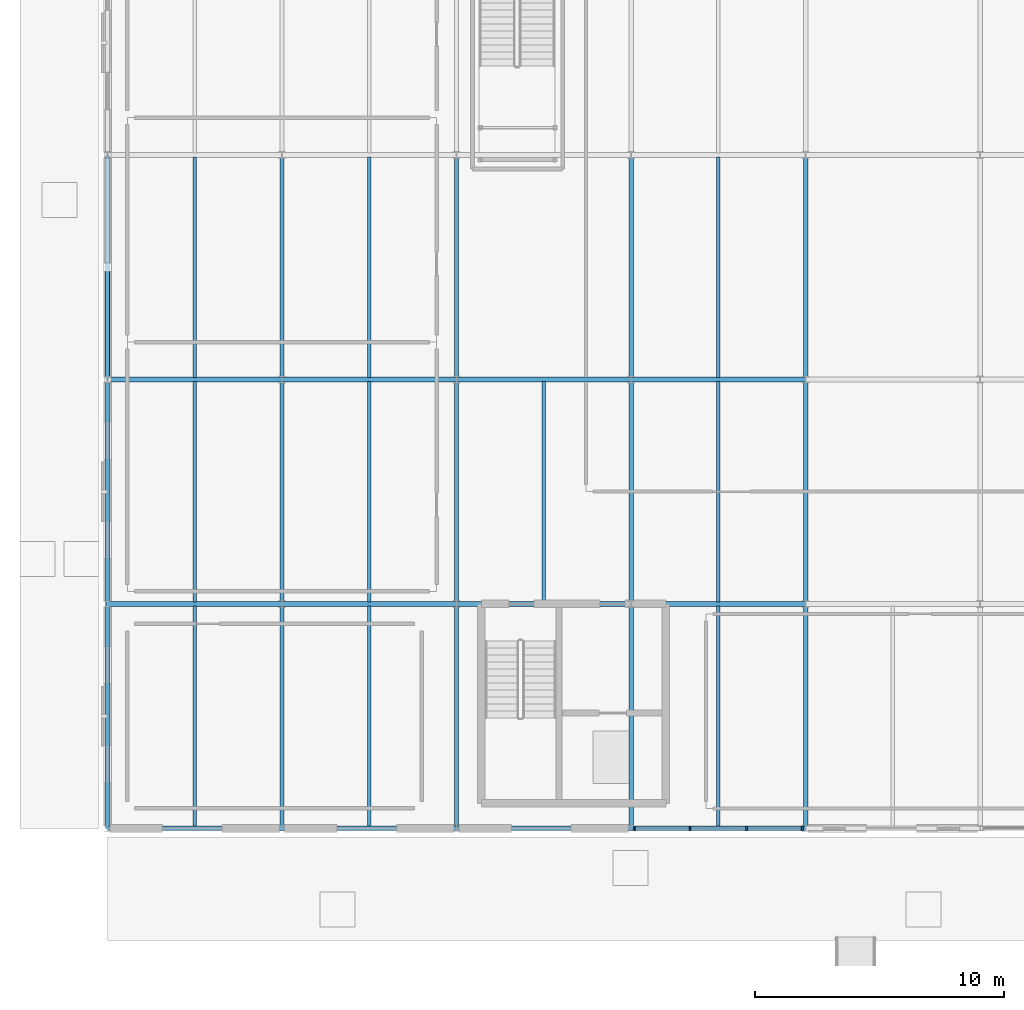
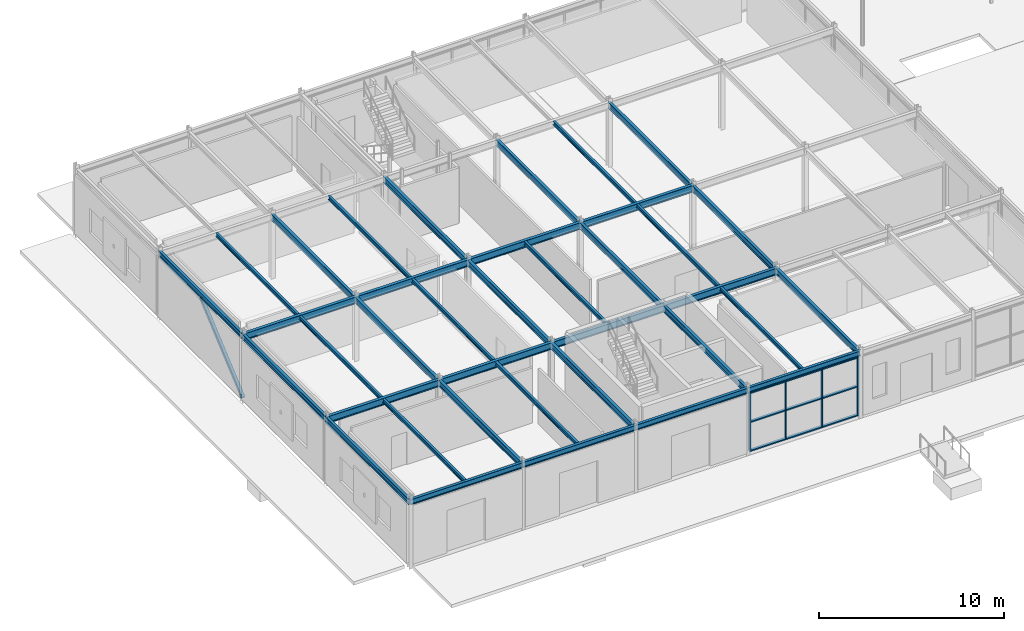
# One storey, part 48 of 119: 37 beams, 14 members, 1 element without a shape of its own.
"""IFC4 building model written with IfcOpenShell, lengths in metres."""

from ifc_helpers import new_model, si_unit, derived_unit, direction, frame, origin, origin_2d_with_axis, place, context, subcontext, project, spatial, rectangle, hollow_rectangle, i_section, extrude, material, material_profile, profile_set, type_object, element, aggregate, save


model = new_model("IFC4")

# Units and contexts
model_context = context("Model", 3, precision=1e-05, world=origin(), true_north=direction((0.0, 1.0)))
body_context = subcontext(model_context, "Body", "Model", "MODEL_VIEW")
ifc_project = project(units=[si_unit("LENGTHUNIT", "METRE"), si_unit("AREAUNIT", "SQUARE_METRE"), si_unit("VOLUMEUNIT", "CUBIC_METRE"), si_unit("PLANEANGLEUNIT", "RADIAN"), si_unit("MASSUNIT", "GRAM", prefix="KILO"), derived_unit("THERMALTRANSMITTANCEUNIT", [(si_unit("POWERUNIT", "WATT"), 1), (si_unit("LENGTHUNIT", "METRE"), -2), (si_unit("THERMODYNAMICTEMPERATUREUNIT", "KELVIN"), -1)])], contexts=[model_context])

# Site, building, storey
site_placement = place(None, origin())
site = spatial("IfcSite", under=ifc_project, at=site_placement, CompositionType="ELEMENT")
building_placement = place(site_placement, origin())
building = spatial("IfcBuilding", under=site, at=building_placement, Name="Cinnabar Yard Market Hall", CompositionType="ELEMENT")
storey_placement = place(building_placement, origin())
storey = spatial("IfcBuildingStorey", under=building, at=storey_placement, Name="L00", CompositionType="ELEMENT", Elevation=0.0)

# Beams
ifc_material_1 = material(Name="Steel Grade 300 (300 MPa)", Category="steel")
ifc_material_profile_1 = material_profile(ifc_material_1, i_section(OverallWidth=0.18994140625, OverallDepth=0.453857421875, WebThickness=0.008544921875, FlangeThickness=0.0126953125, FilletRadius=0.011474609375, at=origin_2d_with_axis()), Name="460UB67.1")
ifc_profile_set_1 = profile_set([ifc_material_profile_1], Name="Steel Grade 300 (300 MPa)")
beam_type_1 = type_object("IfcBeamType", Name="BM-B05", PredefinedType="BEAM", material=ifc_profile_set_1)
for number, where, z_axis, x_axis, name in (
    (1, (10.0, 57.0, 4.01318359375), (1.0, 0.0, 0.0), (0.0, 1.0, 0.0), "V2 L00 Girder X 00635"),
    (2, (10.0, 66.0, 4.01318359375), (1.0, 0.0, 0.0), (0.0, 1.0, 0.0), "V2 L00 Girder X 00636"),
    (3, (17.0, 57.0, 4.01318359375), (1.0, 0.0, 0.0), (0.0, 1.0, 0.0), "V2 L00 Girder X 00640"),
    (4, (17.0, 66.0, 4.01318359375), (1.0, 0.0, 0.0), (0.0, 1.0, 0.0), "V2 L00 Girder X 00641"),
    (5, (24.0, 57.0, 4.01318359375), (1.0, 0.0, 0.0), (0.0, 1.0, 0.0), "V2 L00 Girder X 00645"),
    (6, (24.0, 66.0, 4.01318359375), (1.0, 0.0, 0.0), (0.0, 1.0, 0.0), "V2 L00 Girder X 00646"),
    (7, (31.0, 57.0, 4.01318359375), (1.0, 0.0, 0.0), (0.0, 1.0, 0.0), "V2 L00 Girder X 00650"),
    (8, (31.0, 66.0, 4.01318359375), (1.0, 0.0, 0.0), (0.0, 1.0, 0.0), "V2 L00 Girder X 00651"),
):
    element("IfcBeam", number, at=place(storey_placement, frame(where, z_axis=z_axis, x_axis=x_axis)), inside=storey, type_object=beam_type_1, Name=name, PredefinedType="BEAM", context=body_context, shape_type="SweptSolid", body=[
        extrude(i_section(OverallWidth=0.18994140625, OverallDepth=0.453857421875, WebThickness=0.008544921875, FlangeThickness=0.0126953125, FilletRadius=0.011474609375, at=origin_2d_with_axis()), origin(), (0.0, 0.0, 1.0), 7.0),
    ])
ifc_material_profile_2 = material_profile(ifc_material_1, i_section(OverallWidth=0.177978515625, OverallDepth=0.406494140625, WebThickness=0.0078125, FlangeThickness=0.0126953125, FilletRadius=0.011474609375, at=origin_2d_with_axis()), Name="410UB59.7")
ifc_profile_set_2 = profile_set([ifc_material_profile_2], Name="Steel Grade 300 (300 MPa)")
beam_type_2 = type_object("IfcBeamType", Name="BM-B06", PredefinedType="BEAM", material=ifc_profile_set_2)
for number, where, z_axis, x_axis, name in (
    (9, (17.0, 48.0, 4.036865234375), (0.0, 1.0, 0.0), (-1.0, 0.0, 0.0), "V2 L00 Girder Y 00672"),
    (10, (17.0, 57.0, 4.036865234375), (0.0, 1.0, 0.0), (-1.0, 0.0, 0.0), "V2 L00 Girder Y 00674"),
    (11, (17.0, 66.0, 4.036865234375), (0.0, 1.0, 0.0), (-1.0, 0.0, 0.0), "V2 L00 Girder Y 00676"),
    (12, (24.0, 48.0, 4.036865234375), (0.0, 1.0, 0.0), (-1.0, 0.0, 0.0), "V2 L00 Girder Y 00680"),
    (13, (24.0, 57.0, 4.036865234375), (0.0, 1.0, 0.0), (-1.0, 0.0, 0.0), "V2 L00 Girder Y 00681"),
    (14, (24.0, 66.0, 4.036865234375), (0.0, 1.0, 0.0), (-1.0, 0.0, 0.0), "V2 L00 Girder Y 00683"),
    (15, (31.0, 48.0, 4.036865234375), (0.0, 1.0, 0.0), (-1.0, 0.0, 0.0), "V2 L00 Girder Y 00685"),
    (16, (31.0, 57.0, 4.036865234375), (0.0, 1.0, 0.0), (-1.0, 0.0, 0.0), "V2 L00 Girder Y 00687"),
    (17, (31.0, 66.0, 4.036865234375), (0.0, 1.0, 0.0), (-1.0, 0.0, 0.0), "V2 L00 Girder Y 00689"),
    (18, (38.0, 48.0, 4.036865234375), (0.0, 1.0, 0.0), (-1.0, 0.0, 0.0), "V2 L00 Girder Y 00693"),
    (19, (38.0, 57.0, 4.036865234375), (0.0, 1.0, 0.0), (-1.0, 0.0, 0.0), "V2 L00 Girder Y 00695"),
    (20, (38.0, 66.0, 4.036865234375), (0.0, 1.0, 0.0), (-1.0, 0.0, 0.0), "V2 L00 Girder Y 00696"),
):
    element("IfcBeam", number, at=place(storey_placement, frame(where, z_axis=z_axis, x_axis=x_axis)), inside=storey, type_object=beam_type_2, Name=name, PredefinedType="BEAM", context=body_context, shape_type="SweptSolid", body=[
        extrude(i_section(OverallWidth=0.177978515625, OverallDepth=0.406494140625, WebThickness=0.0078125, FlangeThickness=0.0126953125, FilletRadius=0.011474609375, at=origin_2d_with_axis()), origin(), (0.0, 0.0, 1.0), 9.0),
    ])
ifc_material_profile_3 = material_profile(ifc_material_1, i_section(OverallWidth=0.14599609375, OverallDepth=0.256103515625, WebThickness=0.00634765625, FlangeThickness=0.010986328125, FilletRadius=0.0087890625, at=origin_2d_with_axis()), Name="250UB37.3")
ifc_profile_set_3 = profile_set([ifc_material_profile_3], Name="Steel Grade 300 (300 MPa)")
beam_type_3 = type_object("IfcBeamType", Name="BM-J03", PredefinedType="JOIST", material=ifc_profile_set_3)
for number, where, z_axis, x_axis, name in (
    (21, (13.5, 48.074951171875, 4.11181640625), (0.0, 1.0, 0.0), (-1.0, 0.0, 0.0), "V2 L00 Joist 00665"),
    (22, (13.5, 57.074951171875, 4.11181640625), (0.0, 1.0, 0.0), (-1.0, 0.0, 0.0), "V2 L00 Joist 00667"),
    (23, (13.5, 66.074951171875, 4.11181640625), (0.0, 1.0, 0.0), (-1.0, 0.0, 0.0), "V2 L00 Joist 00669"),
    (24, (20.5, 48.074951171875, 4.11181640625), (0.0, 1.0, 0.0), (-1.0, 0.0, 0.0), "V2 L00 Joist 00673"),
    (25, (20.5, 57.074951171875, 4.11181640625), (0.0, 1.0, 0.0), (-1.0, 0.0, 0.0), "V2 L00 Joist 00675"),
    (26, (20.5, 66.074951171875, 4.11181640625), (0.0, 1.0, 0.0), (-1.0, 0.0, 0.0), "V2 L00 Joist 00677"),
    (27, (27.5, 57.074951171875, 4.11181640625), (0.0, 1.0, 0.0), (-1.0, 0.0, 0.0), "V2 L00 Joist 00682"),
    (28, (34.5, 48.074951171875, 4.11181640625), (0.0, 1.0, 0.0), (-1.0, 0.0, 0.0), "V2 L00 Joist 00686"),
    (29, (34.5, 57.074951171875, 4.11181640625), (0.0, 1.0, 0.0), (-1.0, 0.0, 0.0), "V2 L00 Joist 00688"),
    (30, (34.5, 66.074951171875, 4.11181640625), (0.0, 1.0, 0.0), (-1.0, 0.0, 0.0), "V2 L00 Joist 00690"),
):
    element("IfcBeam", number, at=place(storey_placement, frame(where, z_axis=z_axis, x_axis=x_axis)), inside=storey, type_object=beam_type_3, Name=name, PredefinedType="JOIST", context=body_context, shape_type="SweptSolid", body=[
        extrude(i_section(OverallWidth=0.14599609375, OverallDepth=0.256103515625, WebThickness=0.00634765625, FlangeThickness=0.010986328125, FilletRadius=0.0087890625, at=origin_2d_with_axis()), origin(), (0.0, 0.0, 1.0), 8.85009765625),
    ])
ifc_material_profile_4 = material_profile(ifc_material_1, i_section(OverallWidth=0.172119140625, OverallDepth=0.358642578125, WebThickness=0.008056640625, FlangeThickness=0.012939453125, FilletRadius=0.011474609375, at=origin_2d_with_axis()), Name="360UB56.7")
ifc_profile_set_4 = profile_set([ifc_material_profile_4], Name="Steel Grade 300 (300 MPa)")
beam_type_4 = type_object("IfcBeamType", Name="BM-SP02E", PredefinedType="SPANDREL", material=ifc_profile_set_4)
for number, where, z_axis, x_axis, name in (
    (31, (10.0, 48.0, 4.060791015625), (1.0, 0.0, 0.0), (0.0, 1.0, 0.0), "V2 L00 Girder X 00634"),
    (32, (17.0, 48.0, 4.060791015625), (1.0, 0.0, 0.0), (0.0, 1.0, 0.0), "V2 L00 Girder X 00639"),
    (33, (24.0, 48.0, 4.060791015625), (1.0, 0.0, 0.0), (0.0, 1.0, 0.0), "V2 L00 Girder X 00644"),
    (34, (31.0, 48.0, 4.060791015625), (1.0, 0.0, 0.0), (0.0, 1.0, 0.0), "V2 L00 Girder X 00649"),
):
    element("IfcBeam", number, at=place(storey_placement, frame(where, z_axis=z_axis, x_axis=x_axis)), inside=storey, type_object=beam_type_4, Name=name, PredefinedType="SPANDREL", context=body_context, shape_type="SweptSolid", body=[
        extrude(i_section(OverallWidth=0.172119140625, OverallDepth=0.358642578125, WebThickness=0.008056640625, FlangeThickness=0.012939453125, FilletRadius=0.011474609375, at=origin_2d_with_axis()), origin(), (0.0, 0.0, 1.0), 7.0),
    ])
for number, where, z_axis, x_axis, name in (
    (35, (10.0, 48.0, 4.060791015625), (0.0, 1.0, 0.0), (-1.0, 0.0, 0.0), "V2 L00 Girder Y 00664"),
    (36, (10.0, 57.0, 4.060791015625), (0.0, 1.0, 0.0), (-1.0, 0.0, 0.0), "V2 L00 Girder Y 00666"),
    (37, (10.0, 66.0, 4.060791015625), (0.0, 1.0, 0.0), (-1.0, 0.0, 0.0), "V2 L00 Girder Y 00668"),
):
    element("IfcBeam", number, at=place(storey_placement, frame(where, z_axis=z_axis, x_axis=x_axis)), inside=storey, type_object=beam_type_4, Name=name, PredefinedType="SPANDREL", context=body_context, shape_type="SweptSolid", body=[
        extrude(i_section(OverallWidth=0.172119140625, OverallDepth=0.358642578125, WebThickness=0.008056640625, FlangeThickness=0.012939453125, FilletRadius=0.011474609375, at=origin_2d_with_axis()), origin(), (0.0, 0.0, 1.0), 9.0),
    ])

# Curtain wall, members
ifc_material_2 = material(Name="Anodised bronze aluminium courtyard facade", Category="aluminium")
curtain_wall_type = type_object("IfcCurtainWallType", Name="CW-CWF068x39", PredefinedType="NOTDEFINED", material=ifc_material_2)
curtain_wall_placement = place(storey_placement, origin())
curtain_wall = element("IfcCurtainWall", 38, at=curtain_wall_placement, inside=storey, type_object=curtain_wall_type, Name="Pavilion South Glazed Arcade L00 Bay 4", PredefinedType="NOTDEFINED")
ifc_material_3 = material(Name="Anodised bronze aluminium", Category="aluminium")
ifc_material_profile_5 = material_profile(ifc_material_3, rectangle(XDim=0.179931640625, YDim=0.074951171875, at=origin_2d_with_axis()), Name="MUL-CWF")
ifc_profile_set_5 = profile_set([ifc_material_profile_5], Name="Anodised bronze aluminium")
member_type_1 = type_object("IfcMemberType", Name="CWM-CWF", PredefinedType="MULLION", material=ifc_profile_set_5)
member_1_placement = place(storey_placement, frame((31.137451171875, 48.0, 0.0), z_axis=(0.0, 0.0, 1.0), x_axis=(0.0, 1.0, 0.0)))
member_1 = element("IfcMember", 39, at=member_1_placement, type_object=member_type_1, Name="CWF068x39 mullion 1", PredefinedType="MULLION", context=body_context, shape_type="SweptSolid", body=[
    extrude(rectangle(XDim=0.179931640625, YDim=0.074951171875, at=origin_2d_with_axis()), origin(), (0.0, 0.0, 1.0), 3.8798828125),
])
member_2_placement = place(storey_placement, frame((33.36669921875, 48.0, 0.0), z_axis=(0.0, 0.0, 1.0), x_axis=(0.0, 1.0, 0.0)))
member_2 = element("IfcMember", 40, at=member_2_placement, type_object=member_type_1, Name="CWF068x39 mullion 2", PredefinedType="MULLION", context=body_context, shape_type="SweptSolid", body=[
    extrude(rectangle(XDim=0.179931640625, YDim=0.074951171875, at=origin_2d_with_axis()), origin(), (0.0, 0.0, 1.0), 3.8798828125),
])
member_3_placement = place(storey_placement, frame((35.63330078125, 48.0, 0.0), z_axis=(0.0, 0.0, 1.0), x_axis=(0.0, 1.0, 0.0)))
member_3 = element("IfcMember", 41, at=member_3_placement, type_object=member_type_1, Name="CWF068x39 mullion 3", PredefinedType="MULLION", context=body_context, shape_type="SweptSolid", body=[
    extrude(rectangle(XDim=0.179931640625, YDim=0.074951171875, at=origin_2d_with_axis()), origin(), (0.0, 0.0, 1.0), 3.8798828125),
])
member_4_placement = place(storey_placement, frame((37.862548828125, 48.0, 0.0), z_axis=(0.0, 0.0, 1.0), x_axis=(0.0, 1.0, 0.0)))
member_4 = element("IfcMember", 42, at=member_4_placement, type_object=member_type_1, Name="CWF068x39 mullion 4", PredefinedType="MULLION", context=body_context, shape_type="SweptSolid", body=[
    extrude(rectangle(XDim=0.179931640625, YDim=0.074951171875, at=origin_2d_with_axis()), origin(), (0.0, 0.0, 1.0), 3.8798828125),
])
ifc_material_profile_6 = material_profile(ifc_material_3, rectangle(XDim=0.179931640625, YDim=0.074951171875, at=origin_2d_with_axis()), Name="TRN-CWF")
ifc_profile_set_6 = profile_set([ifc_material_profile_6], Name="Anodised bronze aluminium")
member_type_2 = type_object("IfcMemberType", Name="CWT-CWF", PredefinedType="USERDEFINED", material=ifc_profile_set_6)
member_5_placement = place(storey_placement, frame((31.175048828125, 48.0, 0.03759765625), z_axis=(1.0, 0.0, 0.0), x_axis=(0.0, 1.0, 0.0)))
member_5 = element("IfcMember", 43, at=member_5_placement, type_object=member_type_2, Name="CWF068x39 transom 1.1", ObjectType="TRANSOM", PredefinedType="USERDEFINED", context=body_context, shape_type="SweptSolid", body=[
    extrude(rectangle(XDim=0.179931640625, YDim=0.074951171875, at=origin_2d_with_axis()), origin(), (0.0, 0.0, 1.0), 2.154052734375),
])
member_6_placement = place(storey_placement, frame((31.175048828125, 48.0, 1.93994140625), z_axis=(1.0, 0.0, 0.0), x_axis=(0.0, 1.0, 0.0)))
member_6 = element("IfcMember", 44, at=member_6_placement, type_object=member_type_2, Name="CWF068x39 transom 1.2", ObjectType="TRANSOM", PredefinedType="USERDEFINED", context=body_context, shape_type="SweptSolid", body=[
    extrude(rectangle(XDim=0.179931640625, YDim=0.074951171875, at=origin_2d_with_axis()), origin(), (0.0, 0.0, 1.0), 2.154052734375),
])
member_7_placement = place(storey_placement, frame((31.175048828125, 48.0, 3.842529296875), z_axis=(1.0, 0.0, 0.0), x_axis=(0.0, 1.0, 0.0)))
member_7 = element("IfcMember", 45, at=member_7_placement, type_object=member_type_2, Name="CWF068x39 transom 1.3", ObjectType="TRANSOM", PredefinedType="USERDEFINED", context=body_context, shape_type="SweptSolid", body=[
    extrude(rectangle(XDim=0.179931640625, YDim=0.074951171875, at=origin_2d_with_axis()), origin(), (0.0, 0.0, 1.0), 2.154052734375),
])
member_8_placement = place(storey_placement, frame((33.404052734375, 48.0, 0.03759765625), z_axis=(1.0, 0.0, 0.0), x_axis=(0.0, 1.0, 0.0)))
member_8 = element("IfcMember", 46, at=member_8_placement, type_object=member_type_2, Name="CWF068x39 transom 2.1", ObjectType="TRANSOM", PredefinedType="USERDEFINED", context=body_context, shape_type="SweptSolid", body=[
    extrude(rectangle(XDim=0.179931640625, YDim=0.074951171875, at=origin_2d_with_axis()), origin(), (0.0, 0.0, 1.0), 2.19189453125),
])
member_9_placement = place(storey_placement, frame((33.404052734375, 48.0, 1.93994140625), z_axis=(1.0, 0.0, 0.0), x_axis=(0.0, 1.0, 0.0)))
member_9 = element("IfcMember", 47, at=member_9_placement, type_object=member_type_2, Name="CWF068x39 transom 2.2", ObjectType="TRANSOM", PredefinedType="USERDEFINED", context=body_context, shape_type="SweptSolid", body=[
    extrude(rectangle(XDim=0.179931640625, YDim=0.074951171875, at=origin_2d_with_axis()), origin(), (0.0, 0.0, 1.0), 2.19189453125),
])
member_10_placement = place(storey_placement, frame((33.404052734375, 48.0, 3.842529296875), z_axis=(1.0, 0.0, 0.0), x_axis=(0.0, 1.0, 0.0)))
member_10 = element("IfcMember", 48, at=member_10_placement, type_object=member_type_2, Name="CWF068x39 transom 2.3", ObjectType="TRANSOM", PredefinedType="USERDEFINED", context=body_context, shape_type="SweptSolid", body=[
    extrude(rectangle(XDim=0.179931640625, YDim=0.074951171875, at=origin_2d_with_axis()), origin(), (0.0, 0.0, 1.0), 2.19189453125),
])
member_11_placement = place(storey_placement, frame((35.6708984375, 48.0, 0.03759765625), z_axis=(1.0, 0.0, 0.0), x_axis=(0.0, 1.0, 0.0)))
member_11 = element("IfcMember", 49, at=member_11_placement, type_object=member_type_2, Name="CWF068x39 transom 3.1", ObjectType="TRANSOM", PredefinedType="USERDEFINED", context=body_context, shape_type="SweptSolid", body=[
    extrude(rectangle(XDim=0.179931640625, YDim=0.074951171875, at=origin_2d_with_axis()), origin(), (0.0, 0.0, 1.0), 2.154052734375),
])
member_12_placement = place(storey_placement, frame((35.6708984375, 48.0, 1.93994140625), z_axis=(1.0, 0.0, 0.0), x_axis=(0.0, 1.0, 0.0)))
member_12 = element("IfcMember", 50, at=member_12_placement, type_object=member_type_2, Name="CWF068x39 transom 3.2", ObjectType="TRANSOM", PredefinedType="USERDEFINED", context=body_context, shape_type="SweptSolid", body=[
    extrude(rectangle(XDim=0.179931640625, YDim=0.074951171875, at=origin_2d_with_axis()), origin(), (0.0, 0.0, 1.0), 2.154052734375),
])
member_13_placement = place(storey_placement, frame((35.6708984375, 48.0, 3.842529296875), z_axis=(1.0, 0.0, 0.0), x_axis=(0.0, 1.0, 0.0)))
member_13 = element("IfcMember", 51, at=member_13_placement, type_object=member_type_2, Name="CWF068x39 transom 3.3", ObjectType="TRANSOM", PredefinedType="USERDEFINED", context=body_context, shape_type="SweptSolid", body=[
    extrude(rectangle(XDim=0.179931640625, YDim=0.074951171875, at=origin_2d_with_axis()), origin(), (0.0, 0.0, 1.0), 2.154052734375),
])
aggregate(curtain_wall, [member_1, member_2, member_3, member_4, member_5, member_6, member_7, member_8, member_9, member_10, member_11, member_12, member_13])

# Member
ifc_material_4 = material(Name="Cold-formed steel C350L0", Category="steel")
ifc_material_profile_7 = material_profile(ifc_material_4, hollow_rectangle(XDim=0.199951171875, YDim=0.199951171875, WallThickness=0.008056640625, InnerFilletRadius=0.008056640625, OuterFilletRadius=0.01611328125, at=origin_2d_with_axis()), Name="200x200x8.0SHS")
ifc_profile_set_7 = profile_set([ifc_material_profile_7], Name="Cold-formed steel C350L0")
member_type_3 = type_object("IfcMemberType", Name="MB-BR01E", PredefinedType="BRACE", material=ifc_profile_set_7)
member_14_placement = place(storey_placement, frame((10.0, 66.0, 0.0), z_axis=(0.0, 0.759009474251, 0.651079578851), x_axis=(-1.0, 0.0, 0.0)))
element("IfcMember", 52, at=member_14_placement, inside=storey, type_object=member_type_3, Name="Chevron Brace CBF-V2-W0 A", PredefinedType="BRACE", context=body_context, shape_type="SweptSolid", body=[
    extrude(hollow_rectangle(XDim=0.199951171875, YDim=0.199951171875, WallThickness=0.008056640625, InnerFilletRadius=0.008056640625, OuterFilletRadius=0.01611328125, at=origin_2d_with_axis()), origin(), (0.0, 0.0, 1.0), 5.9287109375),
])

save(model, "model.ifc")
